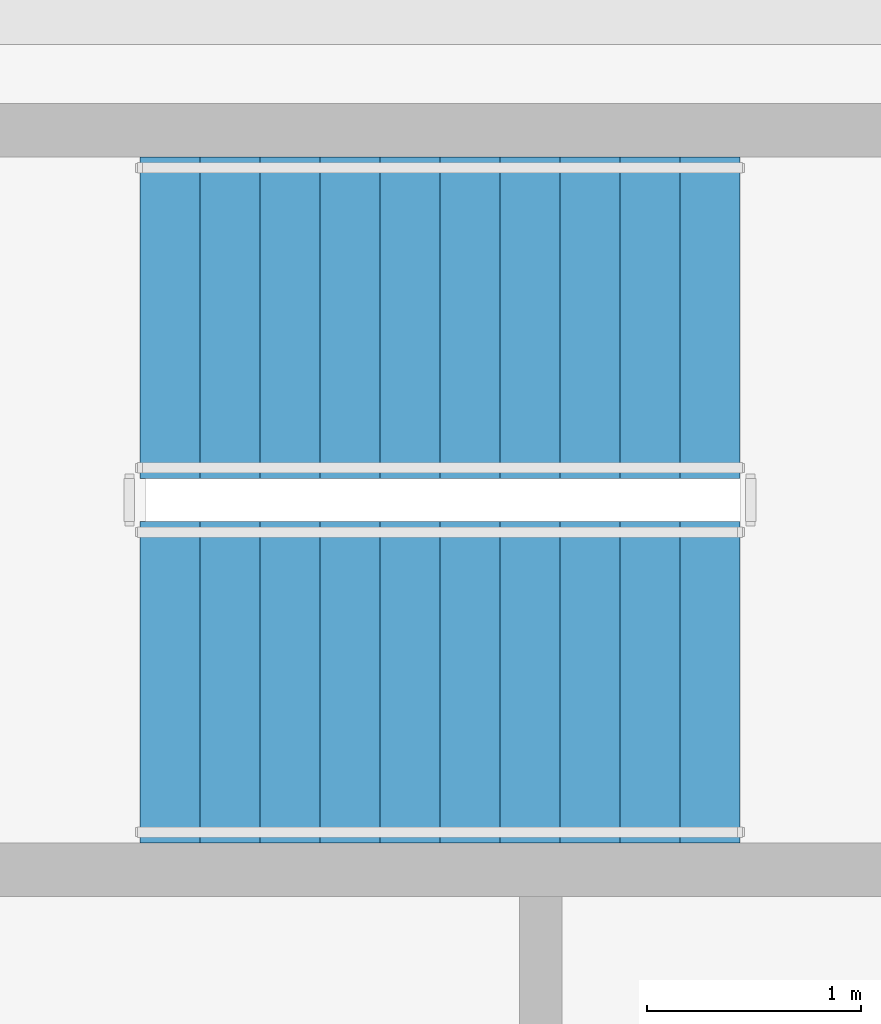
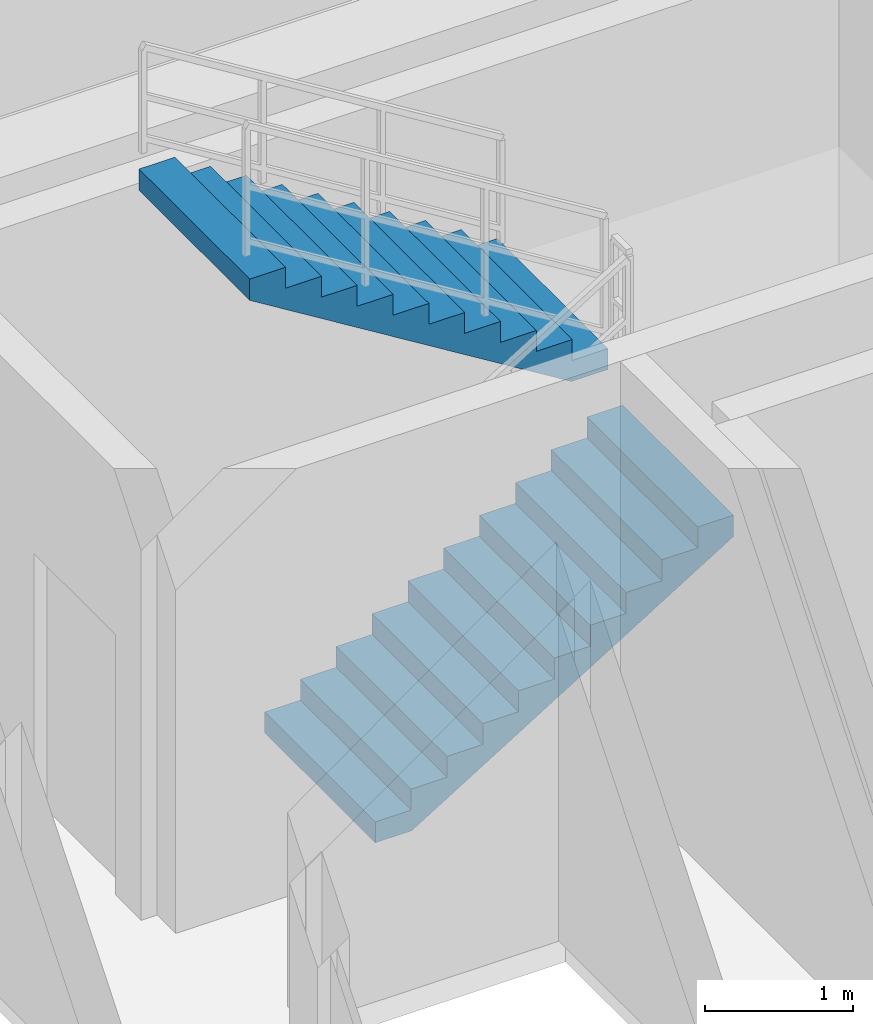
# One storey, part 9 of 12: 2 stair flights, 1 element without a shape of its own.
"""IFC4 building model written with IfcOpenShell, lengths in metres."""

from ifc_helpers import new_model, si_unit, direction, frame, origin, place, context, subcontext, project, spatial, polyline, outline, extrude, material, type_object, element, aggregate, save


model = new_model("IFC4")

# Units and contexts
model_context = context("Model", 3, precision=1e-05, world=origin(), true_north=direction((0.0, 1.0)))
body_context = subcontext(model_context, "Body", "Model", "MODEL_VIEW")
ifc_project = project(units=[si_unit("LENGTHUNIT", "METRE"), si_unit("AREAUNIT", "SQUARE_METRE"), si_unit("VOLUMEUNIT", "CUBIC_METRE"), si_unit("PLANEANGLEUNIT", "RADIAN"), si_unit("MASSUNIT", "GRAM", prefix="KILO")], contexts=[model_context])

# Site, building, storey
site_placement = place(None, origin())
site = spatial("IfcSite", under=ifc_project, at=site_placement, CompositionType="ELEMENT")
building_placement = place(site_placement, origin())
building = spatial("IfcBuilding", under=site, at=building_placement, Name="Zulverin Broadcast Headquarters", CompositionType="ELEMENT")
storey_placement = place(building_placement, frame((0.0, 0.0, 263.0)))
storey = spatial("IfcBuildingStorey", under=building, at=storey_placement, Name="L67", CompositionType="ELEMENT", Elevation=263.0)

# Stair, stair flights
ifc_material = material(Name="Concrete C40/50", Category="concrete")
stair_type = type_object("IfcStairType", Name="ST-CORE-1500", PredefinedType="HALF_TURN_STAIR", material=ifc_material)
stair_placement = place(storey_placement, origin())
stair = element("IfcStair", 1, at=stair_placement, inside=storey, type_object=stair_type, Name="L67 Core Exit Stair ST-1", PredefinedType="HALF_TURN_STAIR")
stair_flight_type = type_object("IfcStairFlightType", Name="SF-CORE-1500", PredefinedType="STRAIGHT", material=ifc_material)
stair_flight_1_placement = place(storey_placement, frame((40.1298828125, 29.800048828125, 0.0), z_axis=(0.0, 0.0, 1.0), x_axis=(1.0, 0.0, 0.0)))
stair_flight_1 = element("IfcStairFlight", 2, at=stair_flight_1_placement, type_object=stair_flight_type, Name="ST-1 flight 1", NumberOfRisers=11, NumberOfTreads=10, PredefinedType="STRAIGHT", RiserHeight=0.172727273, TreadLength=0.28, context=body_context, shape_type="SweptSolid", body=[
    extrude(outline(polyline([(0.0, 0.0), (0.0, 0.172607421875), (0.280029296875, 0.172607421875), (0.280029296875, 0.345458984375), (0.56005859375, 0.345458984375), (0.56005859375, 0.51806640625), (0.840087890625, 0.51806640625), (0.840087890625, 0.69091796875), (1.1201171875, 0.69091796875), (1.1201171875, 0.863525390625), (1.39990234375, 0.863525390625), (1.39990234375, 1.036376953125), (1.679931640625, 1.036376953125), (1.679931640625, 1.208984375), (1.9599609375, 1.208984375), (1.9599609375, 1.3818359375), (2.239990234375, 1.3818359375), (2.239990234375, 1.554443359375), (2.52001953125, 1.554443359375), (2.52001953125, 1.727294921875), (2.800048828125, 1.727294921875), (2.800048828125, 1.89990234375), (2.800048828125, 1.551025390625), (0.285400390625, 0.0), (0.0, 0.0)])), frame((0.0, 0.75, 0.0), z_axis=(0.0, -1.0, 0.0), x_axis=(1.0, 0.0, 0.0)), (0.0, 0.0, 1.0), 1.5),
])
stair_flight_2_placement = place(storey_placement, frame((42.929931640625, 31.5, 1.89990234375), z_axis=(0.0, 0.0, 1.0), x_axis=(-1.0, 0.0, 0.0)))
stair_flight_2 = element("IfcStairFlight", 3, at=stair_flight_2_placement, type_object=stair_flight_type, Name="ST-1 flight 2", NumberOfRisers=11, NumberOfTreads=10, PredefinedType="STRAIGHT", RiserHeight=0.172727273, TreadLength=0.28, context=body_context, shape_type="SweptSolid", body=[
    extrude(outline(polyline([(0.0, 0.0), (0.0, 0.172607421875), (0.280029296875, 0.172607421875), (0.280029296875, 0.345458984375), (0.56005859375, 0.345458984375), (0.56005859375, 0.51806640625), (0.840087890625, 0.51806640625), (0.840087890625, 0.69091796875), (1.1201171875, 0.69091796875), (1.1201171875, 0.863525390625), (1.39990234375, 0.863525390625), (1.39990234375, 1.036376953125), (1.679931640625, 1.036376953125), (1.679931640625, 1.208984375), (1.9599609375, 1.208984375), (1.9599609375, 1.3818359375), (2.239990234375, 1.3818359375), (2.239990234375, 1.554443359375), (2.52001953125, 1.554443359375), (2.52001953125, 1.727294921875), (2.800048828125, 1.727294921875), (2.800048828125, 1.89990234375), (2.800048828125, 1.551025390625), (0.285400390625, 0.0), (0.0, 0.0)])), frame((0.0, 0.75, 0.0), z_axis=(0.0, -1.0, 0.0), x_axis=(1.0, 0.0, 0.0)), (0.0, 0.0, 1.0), 1.5),
])
aggregate(stair, [stair_flight_1, stair_flight_2])

save(model, "model.ifc")
